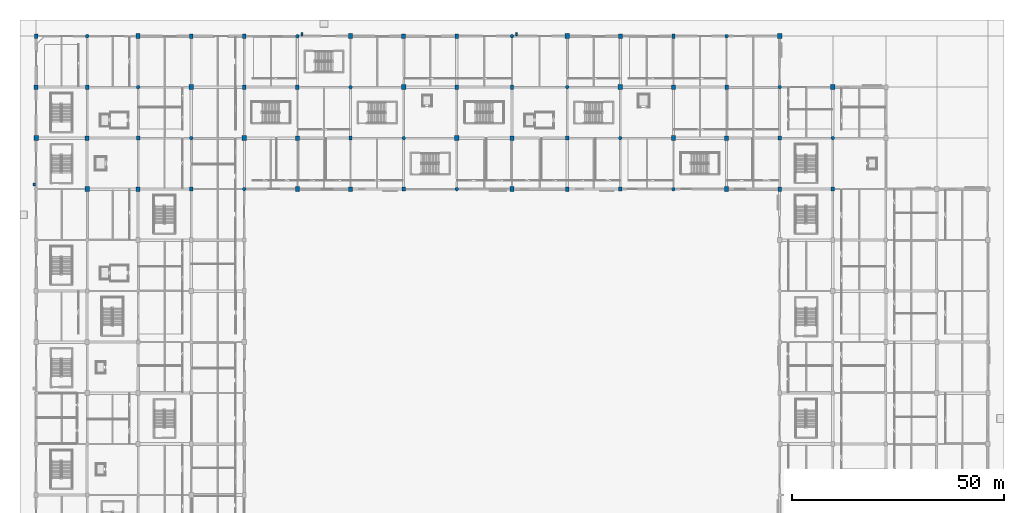
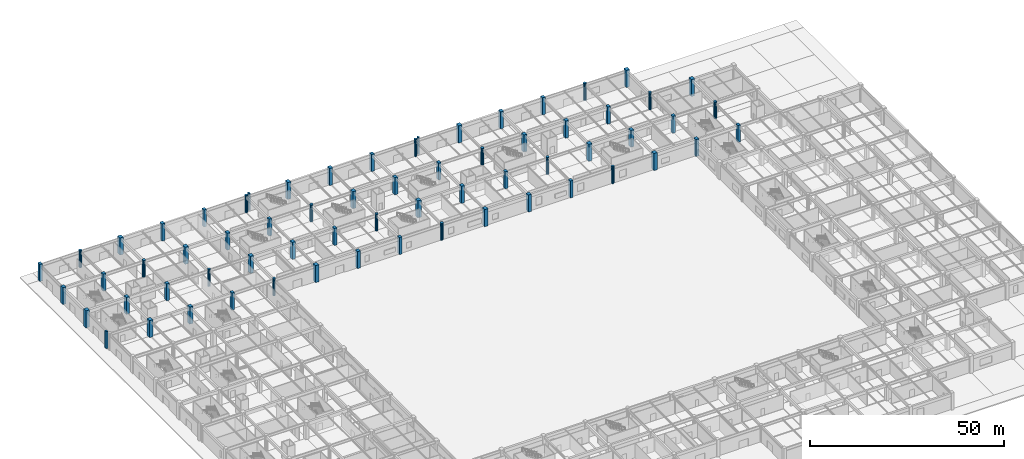
# One storey, part 3 of 69: 65 columns.
"""IFC4 building model written with IfcOpenShell, lengths in metres."""

from ifc_helpers import new_model, si_unit, direction, frame, origin, origin_2d, place, context, subcontext, project, spatial, rectangle, circle, extrude, material, material_profile, profile_set, type_object, element, save


model = new_model("IFC4")

# Units and contexts
model_context = context("Model", 3, precision=1e-05, world=origin(), true_north=direction((0.0, 1.0)))
body_context = subcontext(model_context, "Body", "Model", "MODEL_VIEW")
ifc_project = project(units=[si_unit("LENGTHUNIT", "METRE"), si_unit("AREAUNIT", "SQUARE_METRE"), si_unit("VOLUMEUNIT", "CUBIC_METRE"), si_unit("PLANEANGLEUNIT", "RADIAN"), si_unit("MASSUNIT", "GRAM", prefix="KILO")], contexts=[model_context])

# Site, building, storey
site_placement = place(None, origin())
site = spatial("IfcSite", under=ifc_project, at=site_placement, CompositionType="ELEMENT")
building_placement = place(site_placement, origin())
building = spatial("IfcBuilding", under=site, at=building_placement, Name="Kazenohara Klinker Stadium", CompositionType="ELEMENT")
storey_placement = place(building_placement, origin())
storey = spatial("IfcBuildingStorey", under=building, at=storey_placement, Name="L00", CompositionType="ELEMENT", Elevation=0.0)

# Columns
ifc_material = material(Name="Concrete C40/50", Category="concrete")
ifc_material_profile_1 = material_profile(ifc_material, rectangle(XDim=1.0, YDim=1.199951171875, at=origin_2d()), Name="RC-COL-1200x1000")
ifc_profile_set_1 = profile_set([ifc_material_profile_1], Name="Concrete C40/50")
column_type_1 = type_object("IfcColumnType", Name="COL-RC01", PredefinedType="COLUMN", material=ifc_profile_set_1)
for number, where, z_axis, x_axis, name in (
    (1, (0.0, 144.0, 0.0), (0.0, 0.0, 1.0), (1.0, 0.0, 0.0), "Column C01 L00 1/N"),
    (2, (12.0, 132.0, 0.0), (0.0, 0.0, 1.0), (1.0, 0.0, 0.0), "Column C01 L00 2/M"),
    (3, (24.0, 168.0, 0.0), (0.0, 0.0, 1.0), (1.0, 0.0, 0.0), "Column C01 L00 3/Q"),
    (4, (36.5, 156.0, 0.0), (0.0, 0.0, 1.0), (1.0, 0.0, 0.0), "Column C01 L00 4/P"),
    (5, (49.0, 144.0, 0.0), (0.0, 0.0, 1.0), (1.0, 0.0, 0.0), "Column C01 L00 5/N"),
    (6, (61.5, 132.0, 0.0), (0.0, 0.0, 1.0), (1.0, 0.0, 0.0), "Column C01 L00 6/M"),
    (7, (74.0, 168.0, 0.0), (0.0, 0.0, 1.0), (1.0, 0.0, 0.0), "Column C01 L00 7/Q"),
    (8, (86.5, 156.0, 0.0), (0.0, 0.0, 1.0), (1.0, 0.0, 0.0), "Column C01 L00 8/P"),
    (9, (99.0, 144.0, 0.0), (0.0, 0.0, 1.0), (1.0, 0.0, 0.0), "Column C01 L00 9/N"),
    (10, (112.0, 132.0, 0.0), (0.0, 0.0, 1.0), (1.0, 0.0, 0.0), "Column C01 L00 10/M"),
    (11, (125.0, 168.0, 0.0), (0.0, 0.0, 1.0), (1.0, 0.0, 0.0), "Column C01 L00 11/Q"),
    (12, (137.5, 156.0, 0.0), (0.0, 0.0, 1.0), (1.0, 0.0, 0.0), "Column C01 L00 12/P"),
    (13, (150.0, 144.0, 0.0), (0.0, 0.0, 1.0), (1.0, 0.0, 0.0), "Column C01 L00 13/N"),
    (14, (162.5, 132.0, 0.0), (0.0, 0.0, 1.0), (1.0, 0.0, 0.0), "Column C01 L00 14/M"),
    (15, (175.0, 168.0, 0.0), (0.0, 0.0, 1.0), (1.0, 0.0, 0.0), "Column C01 L00 15/Q"),
    (16, (187.5, 156.0, 0.0), (0.0, 0.0, 1.0), (1.0, 0.0, 0.0), "Column C01 L00 16/P"),
):
    element("IfcColumn", number, at=place(storey_placement, frame(where, z_axis=z_axis, x_axis=x_axis)), inside=storey, type_object=column_type_1, Name=name, PredefinedType="COLUMN", context=body_context, shape_type="SweptSolid", body=[
        extrude(rectangle(XDim=1.0, YDim=1.199951171875, at=origin_2d()), origin(), (0.0, 0.0, 1.0), 5.39990234375),
    ])
ifc_material_profile_2 = material_profile(ifc_material, rectangle(XDim=0.89990234375, YDim=1.10009765625, at=origin_2d()), Name="RC-COL-1100x900")
ifc_profile_set_2 = profile_set([ifc_material_profile_2], Name="Concrete C40/50")
column_type_2 = type_object("IfcColumnType", Name="COL-RC02", PredefinedType="COLUMN", material=ifc_profile_set_2)
for number, where, z_axis, x_axis, name in (
    (17, (0.0, 156.0, 0.0), (0.0, 0.0, 1.0), (1.0, 0.0, 0.0), "Column C02 L00 1/P"),
    (18, (12.0, 144.0, 0.0), (0.0, 0.0, 1.0), (1.0, 0.0, 0.0), "Column C02 L00 2/N"),
    (19, (24.0, 132.0, 0.0), (0.0, 0.0, 1.0), (1.0, 0.0, 0.0), "Column C02 L00 3/M"),
    (20, (36.5, 168.0, 0.0), (0.0, 0.0, 1.0), (1.0, 0.0, 0.0), "Column C02 L00 4/Q"),
    (21, (49.0, 156.0, 0.0), (0.0, 0.0, 1.0), (1.0, 0.0, 0.0), "Column C02 L00 5/P"),
    (22, (61.5, 144.0, 0.0), (0.0, 0.0, 1.0), (1.0, 0.0, 0.0), "Column C02 L00 6/N"),
    (23, (74.0, 132.0, 0.0), (0.0, 0.0, 1.0), (1.0, 0.0, 0.0), "Column C02 L00 7/M"),
    (24, (86.5, 168.0, 0.0), (0.0, 0.0, 1.0), (1.0, 0.0, 0.0), "Column C02 L00 8/Q"),
    (25, (99.0, 156.0, 0.0), (0.0, 0.0, 1.0), (1.0, 0.0, 0.0), "Column C02 L00 9/P"),
    (26, (112.0, 144.0, 0.0), (0.0, 0.0, 1.0), (1.0, 0.0, 0.0), "Column C02 L00 10/N"),
    (27, (125.0, 132.0, 0.0), (0.0, 0.0, 1.0), (1.0, 0.0, 0.0), "Column C02 L00 11/M"),
    (28, (137.5, 168.0, 0.0), (0.0, 0.0, 1.0), (1.0, 0.0, 0.0), "Column C02 L00 12/Q"),
    (29, (150.0, 156.0, 0.0), (0.0, 0.0, 1.0), (1.0, 0.0, 0.0), "Column C02 L00 13/P"),
    (30, (162.5, 144.0, 0.0), (0.0, 0.0, 1.0), (1.0, 0.0, 0.0), "Column C02 L00 14/N"),
    (31, (175.0, 132.0, 0.0), (0.0, 0.0, 1.0), (1.0, 0.0, 0.0), "Column C02 L00 15/M"),
):
    element("IfcColumn", number, at=place(storey_placement, frame(where, z_axis=z_axis, x_axis=x_axis)), inside=storey, type_object=column_type_2, Name=name, PredefinedType="COLUMN", context=body_context, shape_type="SweptSolid", body=[
        extrude(rectangle(XDim=0.89990234375, YDim=1.10009765625, at=origin_2d()), origin(), (0.0, 0.0, 1.0), 5.39990234375),
    ])
ifc_material_profile_3 = material_profile(ifc_material, rectangle(XDim=0.800048828125, YDim=1.0, at=origin_2d()), Name="RC-COL-1000x800")
ifc_profile_set_3 = profile_set([ifc_material_profile_3], Name="Concrete C40/50")
column_type_3 = type_object("IfcColumnType", Name="COL-RC03", PredefinedType="COLUMN", material=ifc_profile_set_3)
for number, where, z_axis, x_axis, name in (
    (32, (0.0, 168.0, 0.0), (0.0, 0.0, 1.0), (1.0, 0.0, 0.0), "Column C03 L00 1/Q"),
    (33, (12.0, 156.0, 0.0), (0.0, 0.0, 1.0), (1.0, 0.0, 0.0), "Column C03 L00 2/P"),
    (34, (24.0, 144.0, 0.0), (0.0, 0.0, 1.0), (1.0, 0.0, 0.0), "Column C03 L00 3/N"),
    (35, (36.5, 132.0, 0.0), (0.0, 0.0, 1.0), (1.0, 0.0, 0.0), "Column C03 L00 4/M"),
    (36, (49.0, 168.0, 0.0), (0.0, 0.0, 1.0), (1.0, 0.0, 0.0), "Column C03 L00 5/Q"),
    (37, (61.5, 156.0, 0.0), (0.0, 0.0, 1.0), (1.0, 0.0, 0.0), "Column C03 L00 6/P"),
    (38, (74.0, 144.0, 0.0), (0.0, 0.0, 1.0), (1.0, 0.0, 0.0), "Column C03 L00 7/N"),
    (39, (86.5, 132.0, 0.0), (0.0, 0.0, 1.0), (1.0, 0.0, 0.0), "Column C03 L00 8/M"),
    (40, (99.0, 168.0, 0.0), (0.0, 0.0, 1.0), (1.0, 0.0, 0.0), "Column C03 L00 9/Q"),
    (41, (112.0, 156.0, 0.0), (0.0, 0.0, 1.0), (1.0, 0.0, 0.0), "Column C03 L00 10/P"),
    (42, (125.0, 144.0, 0.0), (0.0, 0.0, 1.0), (1.0, 0.0, 0.0), "Column C03 L00 11/N"),
    (43, (137.5, 132.0, 0.0), (0.0, 0.0, 1.0), (1.0, 0.0, 0.0), "Column C03 L00 12/M"),
    (44, (150.0, 168.0, 0.0), (0.0, 0.0, 1.0), (1.0, 0.0, 0.0), "Column C03 L00 13/Q"),
    (45, (162.5, 156.0, 0.0), (0.0, 0.0, 1.0), (1.0, 0.0, 0.0), "Column C03 L00 14/P"),
    (46, (175.0, 144.0, 0.0), (0.0, 0.0, 1.0), (1.0, 0.0, 0.0), "Column C03 L00 15/N"),
    (47, (187.5, 132.0, 0.0), (0.0, 0.0, 1.0), (1.0, 0.0, 0.0), "Column C03 L00 16/M"),
):
    element("IfcColumn", number, at=place(storey_placement, frame(where, z_axis=z_axis, x_axis=x_axis)), inside=storey, type_object=column_type_3, Name=name, PredefinedType="COLUMN", context=body_context, shape_type="SweptSolid", body=[
        extrude(rectangle(XDim=0.800048828125, YDim=1.0, at=origin_2d()), origin(), (0.0, 0.0, 1.0), 5.39990234375),
    ])
ifc_material_profile_4 = material_profile(ifc_material, circle(Radius=0.425048828125, at=origin_2d()), Name="RC-COL-D850")
ifc_profile_set_4 = profile_set([ifc_material_profile_4], Name="Concrete C40/50")
column_type_4 = type_object("IfcColumnType", Name="COL-RC08", PredefinedType="COLUMN", material=ifc_profile_set_4)
for number, where, z_axis, x_axis, name in (
    (48, (12.0, 168.0, 0.0), (0.0, 0.0, 1.0), (1.0, 0.0, 0.0), "Column C08 L00 2/Q"),
    (49, (24.0, 156.0, 0.0), (0.0, 0.0, 1.0), (1.0, 0.0, 0.0), "Column C08 L00 3/P"),
    (50, (36.5, 144.0, 0.0), (0.0, 0.0, 1.0), (1.0, 0.0, 0.0), "Column C08 L00 4/N"),
    (51, (49.0, 132.0, 0.0), (0.0, 0.0, 1.0), (1.0, 0.0, 0.0), "Column C08 L00 5/M"),
    (52, (61.5, 168.0, 0.0), (0.0, 0.0, 1.0), (1.0, 0.0, 0.0), "Column C08 L00 6/Q"),
    (53, (74.0, 156.0, 0.0), (0.0, 0.0, 1.0), (1.0, 0.0, 0.0), "Column C08 L00 7/P"),
    (54, (86.5, 144.0, 0.0), (0.0, 0.0, 1.0), (1.0, 0.0, 0.0), "Column C08 L00 8/N"),
    (55, (99.0, 132.0, 0.0), (0.0, 0.0, 1.0), (1.0, 0.0, 0.0), "Column C08 L00 9/M"),
    (56, (112.0, 168.0, 0.0), (0.0, 0.0, 1.0), (1.0, 0.0, 0.0), "Column C08 L00 10/Q"),
    (57, (125.0, 156.0, 0.0), (0.0, 0.0, 1.0), (1.0, 0.0, 0.0), "Column C08 L00 11/P"),
    (58, (137.5, 144.0, 0.0), (0.0, 0.0, 1.0), (1.0, 0.0, 0.0), "Column C08 L00 12/N"),
    (59, (150.0, 132.0, 0.0), (0.0, 0.0, 1.0), (1.0, 0.0, 0.0), "Column C08 L00 13/M"),
    (60, (162.5, 168.0, 0.0), (0.0, 0.0, 1.0), (1.0, 0.0, 0.0), "Column C08 L00 14/Q"),
    (61, (175.0, 156.0, 0.0), (0.0, 0.0, 1.0), (1.0, 0.0, 0.0), "Column C08 L00 15/P"),
    (62, (187.5, 144.0, 0.0), (0.0, 0.0, 1.0), (1.0, 0.0, 0.0), "Column C08 L00 16/N"),
):
    element("IfcColumn", number, at=place(storey_placement, frame(where, z_axis=z_axis, x_axis=x_axis)), inside=storey, type_object=column_type_4, Name=name, PredefinedType="COLUMN", context=body_context, shape_type="SweptSolid", body=[
        extrude(circle(Radius=0.425048828125, at=origin_2d()), origin(), (0.0, 0.0, 1.0), 5.39990234375),
    ])
ifc_material_profile_5 = material_profile(ifc_material, rectangle(XDim=0.449951171875, YDim=0.64990234375, at=origin_2d()), Name="RC-PILASTER-450x650")
ifc_profile_set_5 = profile_set([ifc_material_profile_5], Name="Concrete C40/50")
column_type_5 = type_object("IfcColumnType", Name="PIL-RC01", PredefinedType="PILASTER", material=ifc_profile_set_5)
column_placement = place(storey_placement, frame((113.050048828125, 168.449951171875, 0.0), z_axis=(0.0, 0.0, 1.0), x_axis=(1.0, 0.0, 0.0)))
element("IfcColumn", 63, at=column_placement, inside=storey, type_object=column_type_5, Name="Pleated facade pilaster PL01 L00 North-09", PredefinedType="PILASTER", context=body_context, shape_type="SweptSolid", body=[
    extrude(rectangle(XDim=0.449951171875, YDim=0.64990234375, at=origin_2d()), origin(), (0.0, 0.0, 1.0), 5.39990234375),
])
ifc_material_profile_6 = material_profile(ifc_material, rectangle(XDim=0.5, YDim=0.75, at=origin_2d()), Name="RC-PILASTER-500x750")
ifc_profile_set_6 = profile_set([ifc_material_profile_6], Name="Concrete C40/50")
column_type_6 = type_object("IfcColumnType", Name="PIL-RC02", PredefinedType="PILASTER", material=ifc_profile_set_6)
for number, where, z_axis, x_axis, name in (
    (64, (-0.449951171875, 133.050048828125, 0.0), (0.0, 0.0, 1.0), (1.0, 0.0, 0.0), "Pleated facade pilaster PL02 L00 West-11"),
    (65, (62.550048828125, 168.449951171875, 0.0), (0.0, 0.0, 1.0), (1.0, 0.0, 0.0), "Pleated facade pilaster PL02 L00 North-05"),
):
    element("IfcColumn", number, at=place(storey_placement, frame(where, z_axis=z_axis, x_axis=x_axis)), inside=storey, type_object=column_type_6, Name=name, PredefinedType="PILASTER", context=body_context, shape_type="SweptSolid", body=[
        extrude(rectangle(XDim=0.5, YDim=0.75, at=origin_2d()), origin(), (0.0, 0.0, 1.0), 5.39990234375),
    ])

save(model, "model.ifc")
